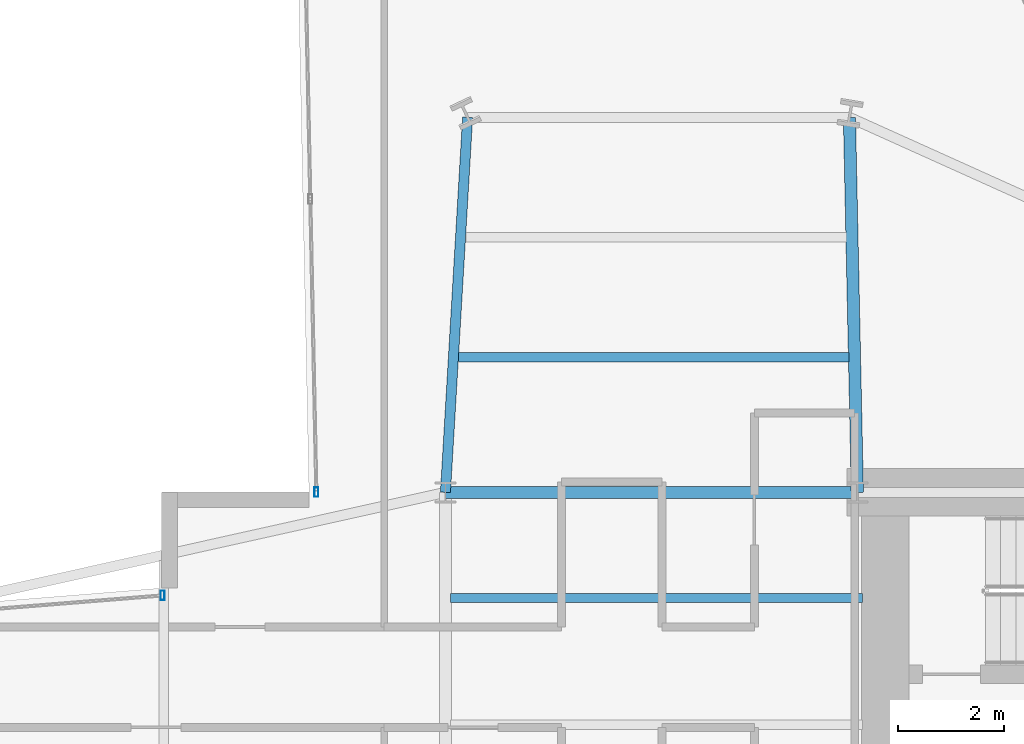
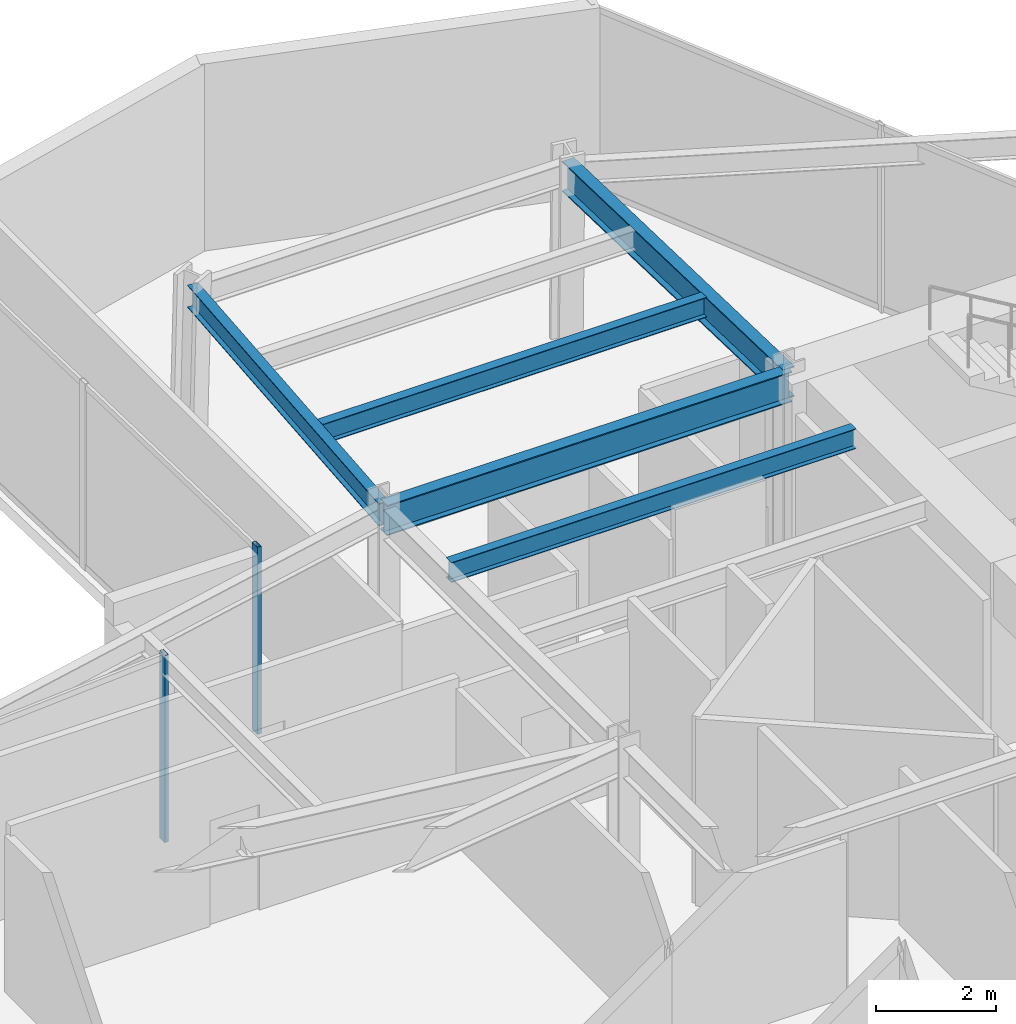
# One storey, part 9 of 24: 5 beams, 2 members, 2 elements without a shape of their own.
"""IFC4 building model written with IfcOpenShell, lengths in metres."""

from ifc_helpers import new_model, si_unit, direction, frame, origin, origin_2d, place, context, subcontext, project, spatial, hollow_rectangle, i_section, extrude, material, layer, layer_set, material_profile, profile_set, type_object, element, aggregate, save


model = new_model("IFC4")

# Units and contexts
model_context = context("Model", 3, precision=1e-05, world=origin(), true_north=direction((0.0, 1.0)))
body_context = subcontext(model_context, "Body", "Model", "MODEL_VIEW")
ifc_project = project(units=[si_unit("LENGTHUNIT", "METRE"), si_unit("AREAUNIT", "SQUARE_METRE"), si_unit("VOLUMEUNIT", "CUBIC_METRE"), si_unit("PLANEANGLEUNIT", "RADIAN"), si_unit("MASSUNIT", "GRAM", prefix="KILO")], contexts=[model_context])

# Site, building, storey
site_placement = place(None, origin())
site = spatial("IfcSite", under=ifc_project, at=site_placement, CompositionType="ELEMENT")
building_placement = place(site_placement, origin())
building = spatial("IfcBuilding", under=site, at=building_placement, Name="Veymaron Broadcast Tower", CompositionType="ELEMENT")
storey_placement = place(building_placement, frame((0.0, 0.0, 98.550048828125)))
storey = spatial("IfcBuildingStorey", under=building, at=storey_placement, Name="L22", CompositionType="ELEMENT", Elevation=98.550048828125)

# Beams
ifc_material_1 = material(Name="Structural steel ASTM A992 Gr 50", Category="steel")
ifc_material_profile_1 = material_profile(ifc_material_1, i_section(OverallWidth=0.22998046875, OverallDepth=0.616943359375, WebThickness=0.01318359375, FlangeThickness=0.022216796875, at=origin_2d()), Name="W610X140")
ifc_profile_set_1 = profile_set([ifc_material_profile_1], Name="Structural steel ASTM A992 Gr 50")
beam_type_1 = type_object("IfcBeamType", Name="BM-FG1", PredefinedType="BEAM", material=ifc_profile_set_1)
beam_1_placement = place(storey_placement, frame((31.199951171875, 32.0, 3.50146484375), z_axis=(1.0, 0.0, 0.0), x_axis=(0.0, 1.0, 0.0)))
element("IfcBeam", 1, at=beam_1_placement, inside=storey, type_object=beam_type_1, Name="L22 primary structural floor girder", PredefinedType="BEAM", context=body_context, shape_type="SweptSolid", body=[
    extrude(i_section(OverallWidth=0.22998046875, OverallDepth=0.616943359375, WebThickness=0.01318359375, FlangeThickness=0.022216796875, at=origin_2d()), origin(), (0.0, 0.0, 1.0), 7.800048828125),
])
beam_2_placement = place(storey_placement, frame((39.0, 32.0, 3.50146484375), z_axis=(-0.021108011879, 0.999777201098, 0.0), x_axis=(-0.999777201098, -0.021108011879, 0.0)))
element("IfcBeam", 2, at=beam_2_placement, inside=storey, type_object=beam_type_1, Name="L22 primary structural floor girder", PredefinedType="BEAM", context=body_context, shape_type="SweptSolid", body=[
    extrude(i_section(OverallWidth=0.22998046875, OverallDepth=0.616943359375, WebThickness=0.01318359375, FlangeThickness=0.022216796875, at=origin_2d()), origin(), (0.0, 0.0, 1.0), 7.1015625),
])
ifc_material_profile_2 = material_profile(ifc_material_1, i_section(OverallWidth=0.177978515625, OverallDepth=0.406982421875, WebThickness=0.0078125, FlangeThickness=0.0126953125, at=origin_2d()), Name="W410X60")
ifc_profile_set_2 = profile_set([ifc_material_profile_2], Name="Structural steel ASTM A992 Gr 50")
beam_type_2 = type_object("IfcBeamType", Name="BM-JS1", PredefinedType="JOIST", material=ifc_profile_set_2)
beam_3_placement = place(storey_placement, frame((31.451171875, 34.555908203125, 3.6064453125), z_axis=(1.0, 0.0, 0.0), x_axis=(0.0, 1.0, 0.0)))
element("IfcBeam", 3, at=beam_3_placement, inside=storey, type_object=beam_type_2, Name="L22 Arm-B secondary joist 1", PredefinedType="JOIST", context=body_context, shape_type="SweptSolid", body=[
    extrude(i_section(OverallWidth=0.177978515625, OverallDepth=0.406982421875, WebThickness=0.0078125, FlangeThickness=0.0126953125, at=origin_2d()), origin(), (0.0, 0.0, 1.0), 7.394775390625),
])
beam_4_placement = place(storey_placement, frame((31.300048828125, 30.0, 3.6064453125), z_axis=(1.0, 0.0, 0.0), x_axis=(0.0, 1.0, 0.0)))
element("IfcBeam", 4, at=beam_4_placement, inside=storey, type_object=beam_type_2, Name="L22 Hub secondary joist 4", PredefinedType="JOIST", context=body_context, shape_type="SweptSolid", body=[
    extrude(i_section(OverallWidth=0.177978515625, OverallDepth=0.406982421875, WebThickness=0.0078125, FlangeThickness=0.0126953125, at=origin_2d()), origin(), (0.0, 0.0, 1.0), 7.800048828125),
])
ifc_material_profile_3 = material_profile(ifc_material_1, i_section(OverallWidth=0.19091796875, OverallDepth=0.4599609375, WebThickness=0.010009765625, FlangeThickness=0.01611328125, at=origin_2d()), Name="W460X82")
ifc_profile_set_3 = profile_set([ifc_material_profile_3], Name="Structural steel ASTM A992 Gr 50")
beam_type_3 = type_object("IfcBeamType", Name="BM-SP1", PredefinedType="SPANDREL", material=ifc_profile_set_3)
beam_5_placement = place(storey_placement, frame((31.199951171875, 32.0, 3.579833984375), z_axis=(0.059074150373, 0.998253597418, 0.0), x_axis=(-0.998253597418, 0.059074150373, 0.0)))
element("IfcBeam", 5, at=beam_5_placement, inside=storey, type_object=beam_type_3, Name="L22 primary structural floor girder", PredefinedType="SPANDREL", context=body_context, shape_type="SweptSolid", body=[
    extrude(i_section(OverallWidth=0.19091796875, OverallDepth=0.4599609375, WebThickness=0.010009765625, FlangeThickness=0.01611328125, at=origin_2d()), origin(), (0.0, 0.0, 1.0), 7.112548828125),
])

# Curtain wall, member
ifc_material_2 = material(Name="Anodised aluminium AA 6063-T6 and laminated low-E dark glass", Category="aluminium")
ifc_layer = layer(ifc_material_2, 0.179931640625)
ifc_layer_set = layer_set([ifc_layer], Name="Anodised aluminium AA 6063-T6 and laminated low-E dark glass")
curtain_wall_type = type_object("IfcCurtainWallType", Name="CW-SYS-02", PredefinedType="NOTDEFINED", material=ifc_layer_set)
curtain_wall_1_placement = place(storey_placement, origin())
curtain_wall_1 = element("IfcCurtainWall", 6, at=curtain_wall_1_placement, inside=storey, type_object=curtain_wall_type, Name="L22 dark-glass curtain wall CW-L22-E8-1", PredefinedType="NOTDEFINED")
ifc_material_3 = material(Name="Anodised aluminium AA 6063-T6", Category="aluminium")
ifc_material_profile_4 = material_profile(ifc_material_3, hollow_rectangle(XDim=0.074951171875, YDim=0.179931640625, WallThickness=0.0048828125, at=origin_2d()), Name="AL180X75X5")
ifc_profile_set_4 = profile_set([ifc_material_profile_4], Name="Anodised aluminium AA 6063-T6")
member_type = type_object("IfcMemberType", Name="CW-MUL-02", PredefinedType="MULLION", material=ifc_profile_set_4)
member_1_placement = place(storey_placement, frame((28.755615234375, 32.0029296875, 0.0), z_axis=(0.0, 0.0, 1.0), x_axis=(1.0, 0.0, 0.0)))
member_1 = element("IfcMember", 7, at=member_1_placement, type_object=member_type, Name="CW-L22-E8-1 mullion 2", PredefinedType="MULLION", context=body_context, shape_type="SweptSolid", body=[
    extrude(hollow_rectangle(XDim=0.074951171875, YDim=0.179931640625, WallThickness=0.0048828125, at=origin_2d()), origin(), (0.0, 0.0, 1.0), 3.81005859375),
])
aggregate(curtain_wall_1, [member_1])

curtain_wall_2_placement = place(storey_placement, origin())
curtain_wall_2 = element("IfcCurtainWall", 8, at=curtain_wall_2_placement, inside=storey, type_object=curtain_wall_type, Name="L22 dark-glass curtain wall CW-L22-E11-1", PredefinedType="NOTDEFINED")
member_2_placement = place(storey_placement, frame((25.84326171875, 30.048583984375, 0.0), z_axis=(0.0, 0.0, 1.0), x_axis=(1.0, 0.0, 0.0)))
member_2 = element("IfcMember", 9, at=member_2_placement, type_object=member_type, Name="CW-L22-E11-1 mullion 0", PredefinedType="MULLION", context=body_context, shape_type="SweptSolid", body=[
    extrude(hollow_rectangle(XDim=0.074951171875, YDim=0.179931640625, WallThickness=0.0048828125, at=origin_2d()), origin(), (0.0, 0.0, 1.0), 3.81005859375),
])
aggregate(curtain_wall_2, [member_2])

save(model, "model.ifc")
